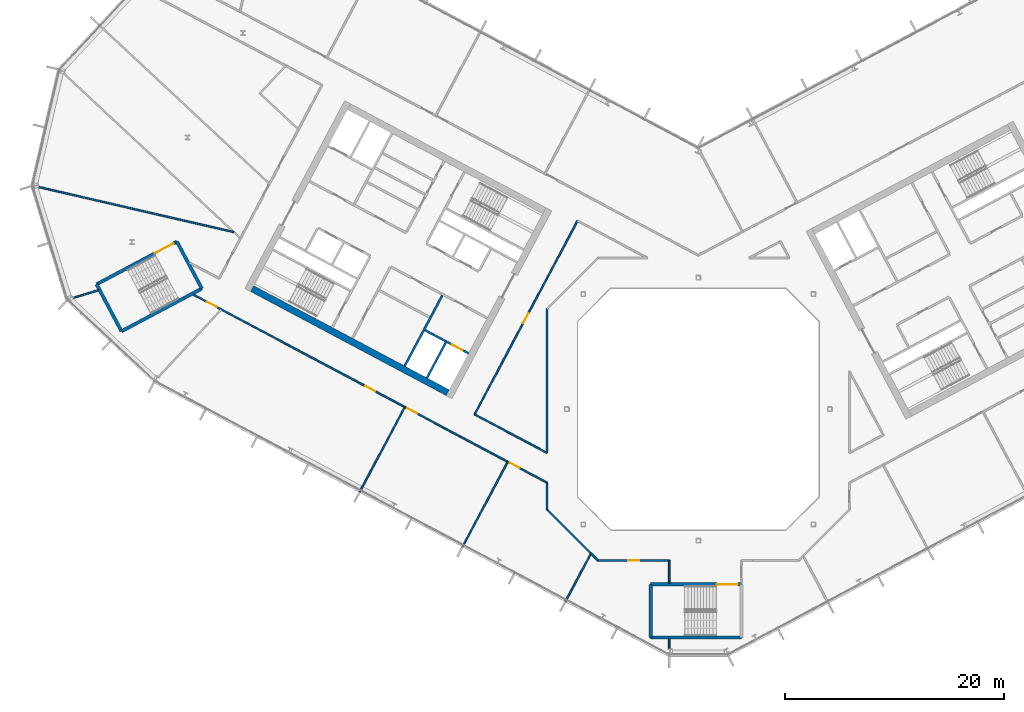
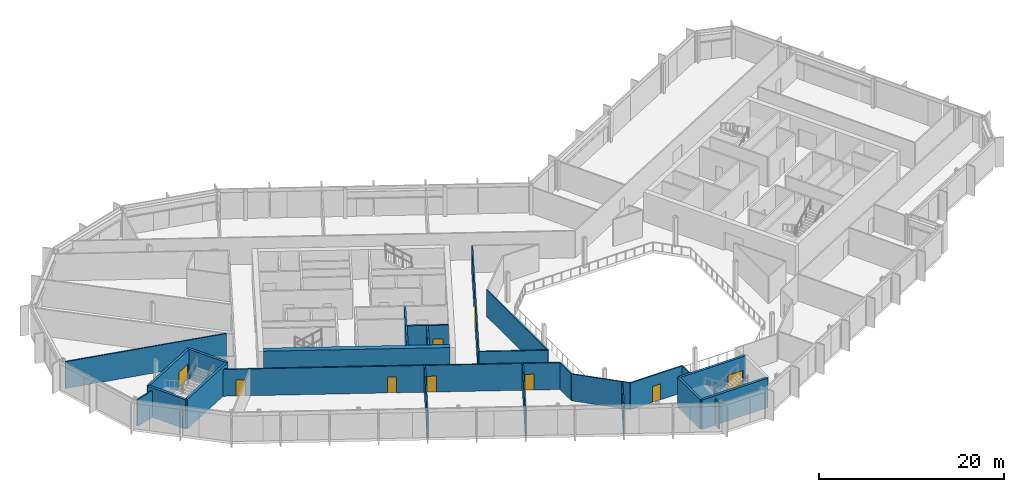
# One storey, part 12 of 26: 26 walls, 9 doors, 9 openings.
"""IFC4 building model written with IfcOpenShell, lengths in metres."""

import ifcopenshell
import ifcopenshell.guid

model = None  # the IFC model being written
_history = None  # IfcOwnerHistory: only IFC2X3 demands one
_inside = {}  # id of a spatial element -> (the spatial element, [elements in it])
_under = {}  # id of a project, library or spatial element -> (it, [spatial elements below it])
_declared = {}  # id of a project -> (the project, [libraries it declares])
_typed = {}  # id of a type object -> (the type object, [elements of that type])
_made_of = {}  # id of a material, layer set ... -> (it, [elements and type objects made of it])


def new_model(schema):
    """Start an empty IFC model of exactly this schema.

    Asked for "IFC4X3", IfcOpenShell would pick the latest addendum, in which some entities
    have other attributes; the version numbers below select the first issue.
    IFC2X3 requires an IfcOwnerHistory on every rooted entity: one is made here for all.
    """
    global model, _history
    if schema == "IFC4X3":
        model = ifcopenshell.file(schema_version=(4, 3, 0, 0))
    else:
        model = ifcopenshell.file(schema=schema)
    _inside.clear()
    _under.clear()
    _declared.clear()
    _typed.clear()
    _made_of.clear()
    _history = None
    if model.schema == "IFC2X3":
        org = make("IfcOrganization", Name="unknown")
        user = make(
            "IfcPersonAndOrganization",
            ThePerson=make("IfcPerson", FamilyName="unknown"),
            TheOrganization=org,
        )
        app = make(
            "IfcApplication",
            ApplicationDeveloper=org,
            Version="unknown",
            ApplicationFullName="unknown",
            ApplicationIdentifier="unknown",
        )
        _history = make(
            "IfcOwnerHistory",
            OwningUser=user,
            OwningApplication=app,
            ChangeAction="ADDED",
            CreationDate=0,
        )
    return model


def make(cls, **values):
    """One entity of the class cls with the attributes given. An attribute that is None is left unset."""
    return model.create_entity(
        cls, **{name: value for name, value in values.items() if value is not None}
    )


def rooted(cls, **values):
    """An entity with a GlobalId (a new one), such as an element, a storey or a relation."""
    return make(cls, GlobalId=ifcopenshell.guid.new(), OwnerHistory=_history, **values)


def si_unit(unit_type, name, prefix=None):
    """IfcSIUnit, for example si_unit("LENGTHUNIT", "METRE", prefix="MILLI")."""
    return make("IfcSIUnit", UnitType=unit_type, Prefix=prefix, Name=name)


def assignment(units):
    """IfcUnitAssignment: the units of a project."""
    return None if units is None else make("IfcUnitAssignment", Units=units)


def point(xyz):
    """IfcCartesianPoint."""
    return None if xyz is None else make("IfcCartesianPoint", Coordinates=xyz)


def direction(xyz):
    """IfcDirection."""
    return None if xyz is None else make("IfcDirection", DirectionRatios=xyz)


def frame(location, z_axis=None, x_axis=None):
    """IfcAxis2Placement3D, a coordinate frame: its origin and axes. An axis left out is left unset."""
    return make(
        "IfcAxis2Placement3D",
        Location=point(location),
        Axis=direction(z_axis),
        RefDirection=direction(x_axis),
    )


def frame_2d(location, x_axis=None):
    """IfcAxis2Placement2D, a coordinate frame in the plane: its origin and x axis."""
    return make(
        "IfcAxis2Placement2D", Location=point(location), RefDirection=direction(x_axis)
    )


def origin():
    """The frame at (0, 0, 0) with its axes left unset."""
    return frame((0.0, 0.0, 0.0))


def place(relative_to, where):
    """IfcLocalPlacement: puts the frame where relative to a parent placement (None: the world)."""
    return make(
        "IfcLocalPlacement", PlacementRelTo=relative_to, RelativePlacement=where
    )


def context(
    kind, dimensions, precision=None, world=None, true_north=None, identifier=None
):
    """IfcGeometricRepresentationContext, for example the 3D "Model" context."""
    return make(
        "IfcGeometricRepresentationContext",
        ContextIdentifier=identifier,
        ContextType=kind,
        CoordinateSpaceDimension=dimensions,
        Precision=precision,
        WorldCoordinateSystem=world,
        TrueNorth=true_north,
    )


def subcontext(parent, identifier, kind, view, scale=None):
    """IfcGeometricRepresentationSubContext, for example "Body" below "Model"."""
    return make(
        "IfcGeometricRepresentationSubContext",
        ContextIdentifier=identifier,
        ContextType=kind,
        ParentContext=parent,
        TargetScale=scale,
        TargetView=view,
    )


def project(units=None, contexts=None):
    """IfcProject with its units and contexts."""
    return rooted(
        "IfcProject",
        Name="project",
        RepresentationContexts=contexts,
        UnitsInContext=assignment(units),
    )


def spatial(cls, under=None, at=None, **own):
    """A site, building, storey or space (cls), placed at a placement, below another one or the project."""
    s = rooted(cls, ObjectPlacement=at, **own)
    if under is not None:
        _under.setdefault(under.id(), (under, []))[1].append(s)
    return s


def profile(cls, at=None, kind="AREA", **sizes):
    """A parametric profile (cls). Its sizes go by their IFC names, for example OverallWidth=200.0."""
    return make(cls, ProfileType=kind, Position=at, **sizes)


def rectangle(**sizes):
    """IfcRectangleProfileDef."""
    return profile("IfcRectangleProfileDef", **sizes)


def extrude(swept, where, along, depth):
    """IfcExtrudedAreaSolid: the profile swept, set in the frame where, extruded along a direction by depth."""
    return make(
        "IfcExtrudedAreaSolid",
        SweptArea=swept,
        Position=where,
        ExtrudedDirection=direction(along),
        Depth=depth,
    )


def shape(context_of_items, identifier, shape_type, items):
    """IfcShapeRepresentation: the items that make up one representation, for example the "Body"."""
    return make(
        "IfcShapeRepresentation",
        ContextOfItems=context_of_items,
        RepresentationIdentifier=identifier,
        RepresentationType=shape_type,
        Items=items,
    )


def material(Name=None, Category=None):
    """IfcMaterial."""
    return make("IfcMaterial", Name=Name, Category=Category)


def layer(
    of_material, thickness, ventilated=None, Name=None, Category=None, Priority=None
):
    """IfcMaterialLayer: one layer of a wall or slab, of a material (None: an air gap)."""
    return make(
        "IfcMaterialLayer",
        Material=of_material,
        LayerThickness=thickness,
        IsVentilated=ventilated,
        Name=Name,
        Category=Category,
        Priority=Priority,
    )


def layer_set(layers, Name=None):
    """IfcMaterialLayerSet."""
    return make("IfcMaterialLayerSet", MaterialLayers=layers, LayerSetName=Name)


def made_of(thing, what):
    """Note that an element or type object is made of a material, layer set ...; save() writes the relation."""
    if what is not None:
        _made_of.setdefault(what.id(), (what, []))[1].append(thing)
    return thing


def type_object(cls, material=None, **own):
    """A type object (cls), such as IfcWallType, which elements share."""
    return made_of(rooted(cls, **own), material)


def element(
    cls,
    number,
    at=None,
    inside=None,
    cuts=None,
    type_object=None,
    material=None,
    context=None,
    identifier="Body",
    shape_type=None,
    held_by="IfcProductDefinitionShape",
    body=None,
    shapes=None,
    **own,
):
    """One element of the class cls, such as IfcWall. Its Tag is "e" and its number.

    at: its placement. inside: the storey or other place that contains it. cuts: it is an
    opening in that element (IfcRelVoidsElement). A single representation is given by context,
    identifier, shape_type and body (its items); several are given by shapes. held_by: the class
    of the entity that holds the representations. save() writes the other relations.
    """
    e = rooted(cls, Tag="e%d" % number, ObjectPlacement=at, **own)
    if body is not None:
        shapes = [shape(context, identifier, shape_type, body)]
    if shapes is not None:
        e.Representation = make(held_by, Representations=shapes)
    if inside is not None:
        _inside.setdefault(inside.id(), (inside, []))[1].append(e)
    if cuts is not None:
        rooted(
            "IfcRelVoidsElement", RelatingBuildingElement=cuts, RelatedOpeningElement=e
        )
    if type_object is not None:
        _typed.setdefault(type_object.id(), (type_object, []))[1].append(e)
    return made_of(e, material)


def fill(opening, filler):
    """IfcRelFillsElement: the door or window that sits in an opening."""
    return rooted(
        "IfcRelFillsElement",
        RelatingOpeningElement=opening,
        RelatedBuildingElement=filler,
    )


def aggregate(whole, parts):
    """IfcRelAggregates: a whole, such as a stair, and the parts it consists of."""
    return rooted("IfcRelAggregates", RelatingObject=whole, RelatedObjects=parts)


def save(model, path):
    """Write the relations noted so far, then the file.

    IfcRelAggregates (storeys below a building ...), IfcRelContainedInSpatialStructure (elements
    in a storey), IfcRelDefinesByType, IfcRelAssociatesMaterial and IfcRelDeclares: one each for
    every whole, place, type object, material and project.
    """
    for whole, parts in _under.values():
        aggregate(whole, parts)
    for where, things in _inside.values():
        rooted(
            "IfcRelContainedInSpatialStructure",
            RelatedElements=things,
            RelatingStructure=where,
        )
    for kind, things in _typed.values():
        rooted("IfcRelDefinesByType", RelatedObjects=things, RelatingType=kind)
    for what, things in _made_of.values():
        rooted("IfcRelAssociatesMaterial", RelatedObjects=things, RelatingMaterial=what)
    for by, libraries in _declared.values():
        rooted("IfcRelDeclares", RelatingContext=by, RelatedDefinitions=libraries)
    model.write(path)


model = new_model("IFC4")

# Units and contexts
model_context = context("Model", 3, precision=1e-05, world=origin(), true_north=direction((0.0, 1.0)))
body_context = subcontext(model_context, "Body", "Model", "MODEL_VIEW")
ifc_project = project(units=[si_unit("LENGTHUNIT", "METRE"), si_unit("AREAUNIT", "SQUARE_METRE"), si_unit("VOLUMEUNIT", "CUBIC_METRE"), si_unit("PLANEANGLEUNIT", "RADIAN"), si_unit("MASSUNIT", "GRAM", prefix="KILO")], contexts=[model_context])

# Site, building, storey
site_placement = place(None, origin())
site = spatial("IfcSite", under=ifc_project, at=site_placement, CompositionType="ELEMENT")
building_placement = place(site_placement, origin())
building = spatial("IfcBuilding", under=site, at=building_placement, Name="Cormorant Relay Tower", CompositionType="ELEMENT")
storey_placement = place(building_placement, frame((0.0, 0.0, 205.199951171875)))
storey = spatial("IfcBuildingStorey", under=building, at=storey_placement, Name="L44", CompositionType="ELEMENT", Elevation=205.199951171875)

# Walls
ifc_material_1 = material(Name="Concrete 50 MPa", Category="concrete")
ifc_layer_1 = layer(ifc_material_1, 0.199951171875)
ifc_layer_set_1 = layer_set([ifc_layer_1], Name="Core shaft wall 200")
wall_type_1 = type_object("IfcWallType", Name="Core shaft wall 200", PredefinedType="SHEAR", material=ifc_layer_set_1)
wall_1_placement = place(storey_placement, frame((-23.04296875, 6.07958984375, 0.0), z_axis=(0.0, 0.0, 1.0), x_axis=(-0.469494272526, -0.882935517501, 0.0)))
element("IfcWall", 1, at=wall_1_placement, inside=storey, type_object=wall_type_1, Name="L44 core A shaft wall", PredefinedType="SHEAR", context=body_context, shape_type="SweptSolid", body=[
    extrude(rectangle(XDim=3.64990234375, YDim=0.199951171875, at=frame_2d((1.824951171875, 0.0))), origin(), (0.0, 0.0, 1.0), 3.900146484375),
])
wall_2_placement = place(storey_placement, frame((-23.360107421875, 10.38232421875, 0.0), z_axis=(0.0, 0.0, 1.0), x_axis=(-0.469480409012, -0.88294288918, 0.0)))
element("IfcWall", 2, at=wall_2_placement, inside=storey, type_object=wall_type_1, Name="L44 core A shaft wall", PredefinedType="SHEAR", context=body_context, shape_type="SweptSolid", body=[
    extrude(rectangle(XDim=7.300048828125, YDim=0.199951171875, at=frame_2d((3.64990234375, 0.0))), origin(), (0.0, 0.0, 1.0), 3.900146484375),
])

# Wall, opening, door
wall_3_placement = place(storey_placement, frame((-20.96533203125, 5.088134765625, 0.0), z_axis=(0.0, 0.0, 1.0), x_axis=(-0.882925986334, 0.469512196493, 0.0)))
wall_3 = element("IfcWall", 3, at=wall_3_placement, inside=storey, type_object=wall_type_1, Name="L44 core A shaft wall", PredefinedType="SHEAR", context=body_context, shape_type="SweptSolid", body=[
    extrude(rectangle(XDim=4.5, YDim=0.199951171875, at=frame_2d((2.25, 0.0))), origin(), (0.0, 0.0, 1.0), 3.900146484375),
])
opening_1_placement = place(wall_3_placement, frame((0.60009765625, 0.0, 0.0)))
opening_1 = element("IfcOpeningElement", 4, at=opening_1_placement, cuts=wall_3, Name="Opening LD1-063", PredefinedType="OPENING", context=body_context, shape_type="SweptSolid", body=[
    extrude(rectangle(XDim=1.10009765625, YDim=2.10009765625, at=frame_2d((0.550048828125, 1.050048828125))), frame((0.0, 0.10986328125, 0.0), z_axis=(0.0, -1.0, 0.0), x_axis=(1.0, 0.0, 0.0)), (0.0, 0.0, 1.0), 0.219970703125),
])
ifc_material_2 = material(Name="Stainless steel 316", Category="steel")
door_type_1 = type_object("IfcDoorType", Name="Lift landing door 1100x2100", OperationType="DOUBLE_DOOR_SLIDING", PredefinedType="DOOR", material=ifc_material_2)
door_1_placement = place(opening_1_placement, origin())
door_1 = element("IfcDoor", 5, at=door_1_placement, inside=storey, type_object=door_type_1, Name="FF1 landing door", OperationType="DOUBLE_DOOR_SLIDING", OverallHeight=2.10009765625, OverallWidth=1.10009765625, PredefinedType="DOOR", context=body_context, shape_type="SweptSolid", body=[
    extrude(rectangle(XDim=1.10009765625, YDim=2.10009765625, at=frame_2d((0.550048828125, 1.050048828125))), frame((0.0, 0.02490234375, 0.0), z_axis=(0.0, -1.0, 0.0), x_axis=(1.0, 0.0, 0.0)), (0.0, 0.0, 1.0), 0.050048828125),
])
fill(opening_1, door_1)

# Wall
ifc_material_3 = material(Name="Concrete 50 MPa", Category="concrete")
ifc_layer_2 = layer(ifc_material_3, 0.60009765625)
ifc_layer_set_2 = layer_set([ifc_layer_2], Name="Core wall 600")
wall_type_2 = type_object("IfcWallType", Name="Core wall 600", PredefinedType="SHEAR", material=ifc_layer_set_2)
wall_4_placement = place(storey_placement, frame((-22.86669921875, 1.51220703125, 0.0), z_axis=(0.0, 0.0, 1.0), x_axis=(-0.88294509198, 0.469476266226, 0.0)))
element("IfcWall", 6, at=wall_4_placement, inside=storey, type_object=wall_type_2, Name="L44 core A wall", PredefinedType="SHEAR", context=body_context, shape_type="SweptSolid", body=[
    extrude(rectangle(XDim=20.199951171875, YDim=0.60009765625, at=frame_2d((10.10009765625, 0.0))), origin(), (0.0, 0.0, 1.0), 3.900146484375),
])

# Wall, openings, doors
ifc_material_4 = material(Name="Gypsum board fire partition")
ifc_layer_3 = layer(ifc_material_4, 0.14990234375)
ifc_layer_set_3 = layer_set([ifc_layer_3], Name="Corridor partition 150 EI 60")
wall_type_3 = type_object("IfcWallType", Name="Corridor partition 150 EI 60", PredefinedType="PARTITIONING", material=ifc_layer_set_3)
wall_5_placement = place(storey_placement, frame((-13.800048828125, -6.7060546875, 0.0), z_axis=(0.0, 0.0, 1.0), x_axis=(-0.882947286887, 0.469472138235, 0.0)))
wall_5 = element("IfcWall", 7, at=wall_5_placement, inside=storey, type_object=wall_type_3, Name="wall/L44/part/015", PredefinedType="PARTITIONING", context=body_context, shape_type="SweptSolid", body=[
    extrude(rectangle(XDim=36.57080078125, YDim=0.14990234375, at=frame_2d((18.285400390625, 0.0))), origin(), (0.0, 0.0, 1.0), 3.5400390625),
])
opening_2_placement = place(wall_5_placement, frame((34.14990234375, 0.0, 0.0)))
opening_2 = element("IfcOpeningElement", 8, at=opening_2_placement, cuts=wall_5, Name="Opening DS-114", PredefinedType="OPENING", context=body_context, shape_type="SweptSolid", body=[
    extrude(rectangle(XDim=1.0, YDim=2.10009765625, at=frame_2d((0.5, 1.050048828125))), frame((0.0, 0.0849609375, 0.0), z_axis=(0.0, -1.0, 0.0), x_axis=(1.0, 0.0, 0.0)), (0.0, 0.0, 1.0), 0.169921875),
])
opening_3_placement = place(wall_5_placement, frame((17.75, 0.0, 0.0)))
opening_3 = element("IfcOpeningElement", 9, at=opening_3_placement, cuts=wall_5, Name="Opening DS-128", PredefinedType="OPENING", context=body_context, shape_type="SweptSolid", body=[
    extrude(rectangle(XDim=1.0, YDim=2.10009765625, at=frame_2d((0.5, 1.050048828125))), frame((0.0, 0.0849609375, 0.0), z_axis=(0.0, -1.0, 0.0), x_axis=(1.0, 0.0, 0.0)), (0.0, 0.0, 1.0), 0.169921875),
])
opening_4_placement = place(wall_5_placement, frame((13.449951171875, 0.0, 0.0)))
opening_4 = element("IfcOpeningElement", 10, at=opening_4_placement, cuts=wall_5, Name="Opening DS-129", PredefinedType="OPENING", context=body_context, shape_type="SweptSolid", body=[
    extrude(rectangle(XDim=1.0, YDim=2.10009765625, at=frame_2d((0.5, 1.050048828125))), frame((0.0, 0.0849609375, 0.0), z_axis=(0.0, -1.0, 0.0), x_axis=(1.0, 0.0, 0.0)), (0.0, 0.0, 1.0), 0.169921875),
])
opening_5_placement = place(wall_5_placement, frame((2.85009765625, 0.0, 0.0)))
opening_5 = element("IfcOpeningElement", 11, at=opening_5_placement, cuts=wall_5, Name="Opening DS-130", PredefinedType="OPENING", context=body_context, shape_type="SweptSolid", body=[
    extrude(rectangle(XDim=1.0, YDim=2.10009765625, at=frame_2d((0.5, 1.050048828125))), frame((0.0, 0.0849609375, 0.0), z_axis=(0.0, -1.0, 0.0), x_axis=(1.0, 0.0, 0.0)), (0.0, 0.0, 1.0), 0.169921875),
])
ifc_material_5 = material(Name="Timber door leaf", Category="wood")
door_type_2 = type_object("IfcDoorType", Name="Suite door 1000x2100", OperationType="SINGLE_SWING_LEFT", PredefinedType="DOOR", material=ifc_material_5)
door_2_placement = place(opening_2_placement, origin())
door_2 = element("IfcDoor", 12, at=door_2_placement, inside=storey, type_object=door_type_2, Name="door/L44/009", OperationType="SINGLE_SWING_LEFT", OverallHeight=2.10009765625, OverallWidth=1.0, PredefinedType="DOOR", context=body_context, shape_type="SweptSolid", body=[
    extrude(rectangle(XDim=1.0, YDim=2.10009765625, at=frame_2d((0.5, 1.050048828125))), frame((0.0, 0.02490234375, 0.0), z_axis=(0.0, -1.0, 0.0), x_axis=(1.0, 0.0, 0.0)), (0.0, 0.0, 1.0), 0.050048828125),
])
fill(opening_2, door_2)
door_3_placement = place(opening_3_placement, origin())
door_3 = element("IfcDoor", 13, at=door_3_placement, inside=storey, type_object=door_type_2, Name="door/L44/010", OperationType="SINGLE_SWING_LEFT", OverallHeight=2.10009765625, OverallWidth=1.0, PredefinedType="DOOR", context=body_context, shape_type="SweptSolid", body=[
    extrude(rectangle(XDim=1.0, YDim=2.10009765625, at=frame_2d((0.5, 1.050048828125))), frame((0.0, 0.02490234375, 0.0), z_axis=(0.0, -1.0, 0.0), x_axis=(1.0, 0.0, 0.0)), (0.0, 0.0, 1.0), 0.050048828125),
])
fill(opening_3, door_3)
door_4_placement = place(opening_4_placement, origin())
door_4 = element("IfcDoor", 14, at=door_4_placement, inside=storey, type_object=door_type_2, Name="door/L44/011", OperationType="SINGLE_SWING_RIGHT", OverallHeight=2.10009765625, OverallWidth=1.0, PredefinedType="DOOR", context=body_context, shape_type="SweptSolid", body=[
    extrude(rectangle(XDim=1.0, YDim=2.10009765625, at=frame_2d((0.5, 1.050048828125))), frame((0.0, 0.02490234375, 0.0), z_axis=(0.0, -1.0, 0.0), x_axis=(1.0, 0.0, 0.0)), (0.0, 0.0, 1.0), 0.050048828125),
])
fill(opening_4, door_4)
door_5_placement = place(opening_5_placement, origin())
door_5 = element("IfcDoor", 15, at=door_5_placement, inside=storey, type_object=door_type_2, Name="door/L44/012", OperationType="SINGLE_SWING_RIGHT", OverallHeight=2.10009765625, OverallWidth=1.0, PredefinedType="DOOR", context=body_context, shape_type="SweptSolid", body=[
    extrude(rectangle(XDim=1.0, YDim=2.10009765625, at=frame_2d((0.5, 1.050048828125))), frame((0.0, 0.02490234375, 0.0), z_axis=(0.0, -1.0, 0.0), x_axis=(1.0, 0.0, 0.0)), (0.0, 0.0, 1.0), 0.050048828125),
])
fill(opening_5, door_5)

# Walls
wall_6_placement = place(storey_placement, frame((-9.759033203125, -13.199951171875, 0.0), z_axis=(0.0, 0.0, 1.0), x_axis=(-0.707192226993, 0.707021325053, 0.0)))
element("IfcWall", 16, at=wall_6_placement, inside=storey, type_object=wall_type_3, Name="wall/L44/part/021", PredefinedType="PARTITIONING", context=body_context, shape_type="SweptSolid", body=[
    extrude(rectangle(XDim=5.714111328125, YDim=0.14990234375, at=frame_2d((2.85693359375, 0.0))), origin(), (0.0, 0.0, 1.0), 3.5400390625),
])
wall_7_placement = place(storey_placement, frame((-13.800048828125, -9.159912109375, 0.0), z_axis=(0.0, 0.0, 1.0), x_axis=(0.0, 1.0, 0.0)))
element("IfcWall", 17, at=wall_7_placement, inside=storey, type_object=wall_type_3, Name="wall/L44/part/022", PredefinedType="PARTITIONING", context=body_context, shape_type="SweptSolid", body=[
    extrude(rectangle(XDim=2.43701171875, YDim=0.14990234375, at=frame_2d((1.218505859375, 0.0))), origin(), (0.0, 0.0, 1.0), 3.5400390625),
])

# Wall, opening, door
wall_8_placement = place(storey_placement, frame((-2.64892578125, -13.800048828125, 0.0), z_axis=(0.0, 0.0, 1.0), x_axis=(-1.0, 0.0, 0.0)))
wall_8 = element("IfcWall", 18, at=wall_8_placement, inside=storey, type_object=wall_type_3, Name="wall/L44/part/025", PredefinedType="PARTITIONING", context=body_context, shape_type="SweptSolid", body=[
    extrude(rectangle(XDim=6.510986328125, YDim=0.14990234375, at=frame_2d((3.25537109375, 0.0))), origin(), (0.0, 0.0, 1.0), 3.5400390625),
])
opening_6_placement = place(wall_8_placement, frame((2.75, 0.0, 0.0)))
opening_6 = element("IfcOpeningElement", 19, at=opening_6_placement, cuts=wall_8, Name="Opening DS-131", PredefinedType="OPENING", context=body_context, shape_type="SweptSolid", body=[
    extrude(rectangle(XDim=1.0, YDim=2.10009765625, at=frame_2d((0.5, 1.050048828125))), frame((0.0, 0.0849609375, 0.0), z_axis=(0.0, -1.0, 0.0), x_axis=(1.0, 0.0, 0.0)), (0.0, 0.0, 1.0), 0.169921875),
])
door_6_placement = place(opening_6_placement, origin())
door_6 = element("IfcDoor", 20, at=door_6_placement, inside=storey, type_object=door_type_2, Name="door/L44/013", OperationType="SINGLE_SWING_LEFT", OverallHeight=2.10009765625, OverallWidth=1.0, PredefinedType="DOOR", context=body_context, shape_type="SweptSolid", body=[
    extrude(rectangle(XDim=1.0, YDim=2.10009765625, at=frame_2d((0.5, 1.050048828125))), frame((0.0, 0.02490234375, 0.0), z_axis=(0.0, -1.0, 0.0), x_axis=(1.0, 0.0, 0.0)), (0.0, 0.0, 1.0), 0.050048828125),
])
fill(opening_6, door_6)

# Walls
wall_9_placement = place(storey_placement, frame((-9.791015625, -13.1689453125, 0.0), z_axis=(0.0, 0.0, 1.0), x_axis=(0.707653231313, -0.706559908438, 0.0)))
element("IfcWall", 21, at=wall_9_placement, inside=storey, type_object=wall_type_3, Name="wall/L44/part/026", PredefinedType="PARTITIONING", context=body_context, shape_type="SweptSolid", body=[
    extrude(rectangle(XDim=0.893310546875, YDim=0.14990234375, at=frame_2d((0.44677734375, 0.0))), origin(), (0.0, 0.0, 1.0), 3.5400390625),
])
wall_10_placement = place(storey_placement, frame((-2.64892578125, -13.800048828125, 0.0), z_axis=(0.0, 0.0, 1.0), x_axis=(0.0, -1.0, 0.0)))
element("IfcWall", 22, at=wall_10_placement, inside=storey, type_object=wall_type_3, Name="wall/L44/part/027", PredefinedType="PARTITIONING", context=body_context, shape_type="SweptSolid", body=[
    extrude(rectangle(XDim=2.074951171875, YDim=0.14990234375, at=frame_2d((1.03759765625, 0.0))), origin(), (0.0, 0.0, 1.0), 3.5400390625),
])

# Wall, opening, door
wall_11_placement = place(storey_placement, frame((-20.410888671875, -0.472900390625, 0.0), z_axis=(0.0, 0.0, 1.0), x_axis=(0.469451816494, 0.882958091865, 0.0)))
wall_11 = element("IfcWall", 23, at=wall_11_placement, inside=storey, type_object=wall_type_3, Name="wall/L44/part/044", PredefinedType="PARTITIONING", context=body_context, shape_type="SweptSolid", body=[
    extrude(rectangle(XDim=19.999755859375, YDim=0.14990234375, at=frame_2d((10.0, 0.0))), origin(), (0.0, 0.0, 1.0), 3.5400390625),
])
opening_7_placement = place(wall_11_placement, frame((9.449951171875, 0.0, 0.0)))
opening_7 = element("IfcOpeningElement", 24, at=opening_7_placement, cuts=wall_11, Name="Opening DS-132", PredefinedType="OPENING", context=body_context, shape_type="SweptSolid", body=[
    extrude(rectangle(XDim=1.0, YDim=2.10009765625, at=frame_2d((0.5, 1.050048828125))), frame((0.0, 0.0849609375, 0.0), z_axis=(0.0, -1.0, 0.0), x_axis=(1.0, 0.0, 0.0)), (0.0, 0.0, 1.0), 0.169921875),
])
door_7_placement = place(opening_7_placement, frame((1.0, 0.0, 0.0), z_axis=(0.0, 0.0, 1.0), x_axis=(-1.0, 0.0, 0.0)))
door_7 = element("IfcDoor", 25, at=door_7_placement, inside=storey, type_object=door_type_2, Name="door/L44/014", OperationType="SINGLE_SWING_LEFT", OverallHeight=2.10009765625, OverallWidth=1.0, PredefinedType="DOOR", context=body_context, shape_type="SweptSolid", body=[
    extrude(rectangle(XDim=1.0, YDim=2.10009765625, at=frame_2d((0.5, 1.050048828125))), frame((0.0, 0.02490234375, 0.0), z_axis=(0.0, -1.0, 0.0), x_axis=(1.0, 0.0, 0.0)), (0.0, 0.0, 1.0), 0.050048828125),
])
fill(opening_7, door_7)

# Walls
wall_12_placement = place(storey_placement, frame((-13.800048828125, 9.159912109375, 0.0), z_axis=(0.0, 0.0, 1.0), x_axis=(0.0, -1.0, 0.0)))
element("IfcWall", 26, at=wall_12_placement, inside=storey, type_object=wall_type_3, Name="wall/L44/part/048", PredefinedType="PARTITIONING", context=body_context, shape_type="SweptSolid", body=[
    extrude(rectangle(XDim=13.14794921875, YDim=0.14990234375, at=frame_2d((6.573974609375, 0.0))), origin(), (0.0, 0.0, 1.0), 3.5400390625),
])
wall_13_placement = place(storey_placement, frame((-13.800048828125, -3.988037109375, 0.0), z_axis=(0.0, 0.0, 1.0), x_axis=(-0.88294256459, 0.469481019461, 0.0)))
element("IfcWall", 27, at=wall_13_placement, inside=storey, type_object=wall_type_3, Name="wall/L44/part/049", PredefinedType="PARTITIONING", context=body_context, shape_type="SweptSolid", body=[
    extrude(rectangle(XDim=7.4873046875, YDim=0.14990234375, at=frame_2d((3.74365234375, 0.0))), origin(), (0.0, 0.0, 1.0), 3.5400390625),
])
ifc_material_6 = material(Name="Concrete 50 MPa", Category="concrete")
ifc_layer_4 = layer(ifc_material_6, 0.300048828125)
ifc_layer_set_4 = layer_set([ifc_layer_4], Name="Remote stair wall 300")
wall_type_4 = type_object("IfcWallType", Name="Remote stair wall 300", PredefinedType="SHEAR", material=ifc_layer_set_4)
wall_14_placement = place(storey_placement, frame((3.949951171875, -20.824951171875, 0.0), z_axis=(0.0, 0.0, 1.0), x_axis=(-1.0, 0.0, 0.0)))
element("IfcWall", 28, at=wall_14_placement, inside=storey, type_object=wall_type_4, Name="L44 exit stair RK1 wall", PredefinedType="SHEAR", context=body_context, shape_type="SweptSolid", body=[
    extrude(rectangle(XDim=8.300048828125, YDim=0.300048828125, at=frame_2d((4.14990234375, 0.0))), origin(), (0.0, 0.0, 1.0), 3.900146484375),
])
wall_15_placement = place(storey_placement, frame((-4.35009765625, -20.824951171875, 0.0), z_axis=(0.0, 0.0, 1.0), x_axis=(0.0, 1.0, 0.0)))
element("IfcWall", 29, at=wall_15_placement, inside=storey, type_object=wall_type_4, Name="L44 exit stair RK1 wall", PredefinedType="SHEAR", context=body_context, shape_type="SweptSolid", body=[
    extrude(rectangle(XDim=4.849853515625, YDim=0.300048828125, at=frame_2d((2.4248046875, 0.0))), origin(), (0.0, 0.0, 1.0), 3.900146484375),
])

# Wall, opening, door
wall_16_placement = place(storey_placement, frame((-4.35009765625, -15.97509765625, 0.0), z_axis=(0.0, 0.0, 1.0), x_axis=(1.0, 0.0, 0.0)))
wall_16 = element("IfcWall", 30, at=wall_16_placement, inside=storey, type_object=wall_type_4, Name="L44 exit stair RK1 wall", PredefinedType="SHEAR", context=body_context, shape_type="SweptSolid", body=[
    extrude(rectangle(XDim=8.300048828125, YDim=0.300048828125, at=frame_2d((4.14990234375, 0.0))), origin(), (0.0, 0.0, 1.0), 3.900146484375),
])
opening_8_placement = place(wall_16_placement, frame((6.050048828125, 0.0, 0.0)))
opening_8 = element("IfcOpeningElement", 31, at=opening_8_placement, cuts=wall_16, Name="Opening CDE-014", PredefinedType="OPENING", context=body_context, shape_type="SweptSolid", body=[
    extrude(rectangle(XDim=1.89990234375, YDim=2.10009765625, at=frame_2d((0.949951171875, 1.050048828125))), frame((0.0, 0.159912109375, 0.0), z_axis=(0.0, -1.0, 0.0), x_axis=(1.0, 0.0, 0.0)), (0.0, 0.0, 1.0), 0.320068359375),
])
ifc_material_7 = material(Name="Steel fire door", Category="steel")
door_type_3 = type_object("IfcDoorType", Name="Remote stair door 1900x2100", OperationType="DOUBLE_DOOR_SINGLE_SWING", PredefinedType="DOOR", material=ifc_material_7)
door_8_placement = place(opening_8_placement, frame((1.89990234375, 0.0, 0.0), z_axis=(0.0, 0.0, 1.0), x_axis=(-1.0, 0.0, 0.0)))
door_8 = element("IfcDoor", 32, at=door_8_placement, inside=storey, type_object=door_type_3, Name="Exit stair RK1 door", OperationType="DOUBLE_DOOR_SINGLE_SWING", OverallHeight=2.10009765625, OverallWidth=1.89990234375, PredefinedType="DOOR", context=body_context, shape_type="SweptSolid", body=[
    extrude(rectangle(XDim=1.89990234375, YDim=2.10009765625, at=frame_2d((0.949951171875, 1.050048828125))), frame((0.0, 0.02490234375, 0.0), z_axis=(0.0, -1.0, 0.0), x_axis=(1.0, 0.0, 0.0)), (0.0, 0.0, 1.0), 0.050048828125),
])
fill(opening_8, door_8)

# Walls
wall_17_placement = place(storey_placement, frame((-47.57421875, 15.28955078125, 0.0), z_axis=(0.0, 0.0, 1.0), x_axis=(0.469443498566, -0.882962514297, 0.0)))
element("IfcWall", 33, at=wall_17_placement, inside=storey, type_object=wall_type_4, Name="L44 exit stair RP1 wall", PredefinedType="SHEAR", context=body_context, shape_type="SweptSolid", body=[
    extrude(rectangle(XDim=4.85009765625, YDim=0.300048828125, at=frame_2d((2.425048828125, 0.0))), origin(), (0.0, 0.0, 1.0), 3.900146484375),
])
wall_18_placement = place(storey_placement, frame((-45.29736328125, 11.007080078125, 0.0), z_axis=(0.0, 0.0, 1.0), x_axis=(-0.882951519127, -0.469464178475, 0.0)))
element("IfcWall", 34, at=wall_18_placement, inside=storey, type_object=wall_type_4, Name="L44 exit stair RP1 wall", PredefinedType="SHEAR", context=body_context, shape_type="SweptSolid", body=[
    extrude(rectangle(XDim=8.2998046875, YDim=0.300048828125, at=frame_2d((4.14990234375, 0.0))), origin(), (0.0, 0.0, 1.0), 3.900146484375),
])
wall_19_placement = place(storey_placement, frame((-52.625732421875, 7.110595703125, 0.0), z_axis=(0.0, 0.0, 1.0), x_axis=(-0.469464364128, 0.882951420416, 0.0)))
element("IfcWall", 35, at=wall_19_placement, inside=storey, type_object=wall_type_4, Name="L44 exit stair RP1 wall", PredefinedType="SHEAR", context=body_context, shape_type="SweptSolid", body=[
    extrude(rectangle(XDim=4.849853515625, YDim=0.300048828125, at=frame_2d((2.4248046875, 0.0))), origin(), (0.0, 0.0, 1.0), 3.900146484375),
])

# Wall, opening, door
wall_20_placement = place(storey_placement, frame((-54.902587890625, 11.392822265625, 0.0), z_axis=(0.0, 0.0, 1.0), x_axis=(0.882939326045, 0.469487110071, 0.0)))
wall_20 = element("IfcWall", 36, at=wall_20_placement, inside=storey, type_object=wall_type_4, Name="L44 exit stair RP1 wall", PredefinedType="SHEAR", context=body_context, shape_type="SweptSolid", body=[
    extrude(rectangle(XDim=8.300048828125, YDim=0.300048828125, at=frame_2d((4.14990234375, 0.0))), origin(), (0.0, 0.0, 1.0), 3.900146484375),
])
opening_9_placement = place(wall_20_placement, frame((6.050048828125, 0.0, 0.0)))
opening_9 = element("IfcOpeningElement", 37, at=opening_9_placement, cuts=wall_20, Name="Opening CDE-015", PredefinedType="OPENING", context=body_context, shape_type="SweptSolid", body=[
    extrude(rectangle(XDim=1.89990234375, YDim=2.10009765625, at=frame_2d((0.949951171875, 1.050048828125))), frame((0.0, 0.159912109375, 0.0), z_axis=(0.0, -1.0, 0.0), x_axis=(1.0, 0.0, 0.0)), (0.0, 0.0, 1.0), 0.320068359375),
])
door_9_placement = place(opening_9_placement, frame((1.89990234375, 0.0, 0.0), z_axis=(0.0, 0.0, 1.0), x_axis=(-1.0, 0.0, 0.0)))
door_9 = element("IfcDoor", 38, at=door_9_placement, inside=storey, type_object=door_type_3, Name="Exit stair RP1 door", OperationType="DOUBLE_DOOR_SINGLE_SWING", OverallHeight=2.10009765625, OverallWidth=1.89990234375, PredefinedType="DOOR", context=body_context, shape_type="SweptSolid", body=[
    extrude(rectangle(XDim=1.89990234375, YDim=2.10009765625, at=frame_2d((0.949951171875, 1.050048828125))), frame((0.0, 0.02490234375, 0.0), z_axis=(0.0, -1.0, 0.0), x_axis=(1.0, 0.0, 0.0)), (0.0, 0.0, 1.0), 0.050048828125),
])
fill(opening_9, door_9)

# Walls
ifc_material_8 = material(Name="Gypsum board partition")
ifc_layer_5 = layer(ifc_material_8, 0.14990234375)
ifc_layer_set_5 = layer_set([ifc_layer_5], Name="Tenant partition 150")
wall_type_5 = type_object("IfcWallType", Name="Tenant partition 150", PredefinedType="PARTITIONING", material=ifc_layer_set_5)
wall_21_placement = place(storey_placement, frame((-60.162109375, 20.264892578125, 0.0), z_axis=(0.0, 0.0, 1.0), x_axis=(0.974367298847, -0.224963034603, 0.0)))
element("IfcWall", 39, at=wall_21_placement, inside=storey, type_object=wall_type_5, Name="wall/L44/part/001", PredefinedType="PARTITIONING", context=body_context, shape_type="SweptSolid", body=[
    extrude(rectangle(XDim=18.256103515625, YDim=0.14990234375, at=frame_2d((9.1279296875, 0.0))), origin(), (0.0, 0.0, 1.0), 3.5400390625),
])
wall_22_placement = place(storey_placement, frame((-54.73193359375, 10.85693359375, 0.0), z_axis=(0.0, 0.0, 1.0), x_axis=(-0.956308315689, -0.292360061129, 0.0)))
element("IfcWall", 40, at=wall_22_placement, inside=storey, type_object=wall_type_5, Name="wall/L44/part/004", PredefinedType="PARTITIONING", context=body_context, shape_type="SweptSolid", body=[
    extrude(rectangle(XDim=2.36669921875, YDim=0.14990234375, at=frame_2d((1.183349609375, 0.0))), origin(), (0.0, 0.0, 1.0), 3.5400390625),
])
for number, where, z_axis, x_axis, name in (
    (41, (-26.777099609375, 0.194091796875, 0.0), (0.0, 0.0, 1.0), (-0.469510830369, -0.882926712794, 0.0), "wall/L44/part/010"),
    (42, (-17.387939453125, -4.798095703125, 0.0), (0.0, 0.0, 1.0), (-0.469532456729, -0.882915212281, 0.0), "wall/L44/part/018"),
):
    element("IfcWall", number, at=place(storey_placement, frame(where, z_axis=z_axis, x_axis=x_axis)), inside=storey, type_object=wall_type_5, Name=name, PredefinedType="PARTITIONING", context=body_context, shape_type="SweptSolid", body=[
        extrude(rectangle(XDim=8.80029296875, YDim=0.14990234375, at=frame_2d((4.400146484375, 0.0))), origin(), (0.0, 0.0, 1.0), 3.5400390625),
    ])
wall_23_placement = place(storey_placement, frame((-9.7939453125, -13.1650390625, 0.0), z_axis=(0.0, 0.0, 1.0), x_axis=(-0.469669090987, -0.882842536906, 0.0)))
element("IfcWall", 43, at=wall_23_placement, inside=storey, type_object=wall_type_5, Name="wall/L44/part/023", PredefinedType="PARTITIONING", context=body_context, shape_type="SweptSolid", body=[
    extrude(rectangle(XDim=4.978271484375, YDim=0.14990234375, at=frame_2d((2.4892578125, 0.0))), origin(), (0.0, 0.0, 1.0), 3.5400390625),
])
wall_24_placement = place(storey_placement, frame((-2.64892578125, -20.925048828125, 0.0), z_axis=(0.0, 0.0, 1.0), x_axis=(0.0, -1.0, 0.0)))
element("IfcWall", 44, at=wall_24_placement, inside=storey, type_object=wall_type_5, Name="wall/L44/part/028", PredefinedType="PARTITIONING", context=body_context, shape_type="SweptSolid", body=[
    extrude(rectangle(XDim=0.94189453125, YDim=0.14990234375, at=frame_2d((0.470947265625, 0.0))), origin(), (0.0, 0.0, 1.0), 3.5400390625),
])

save(model, "model.ifc")
